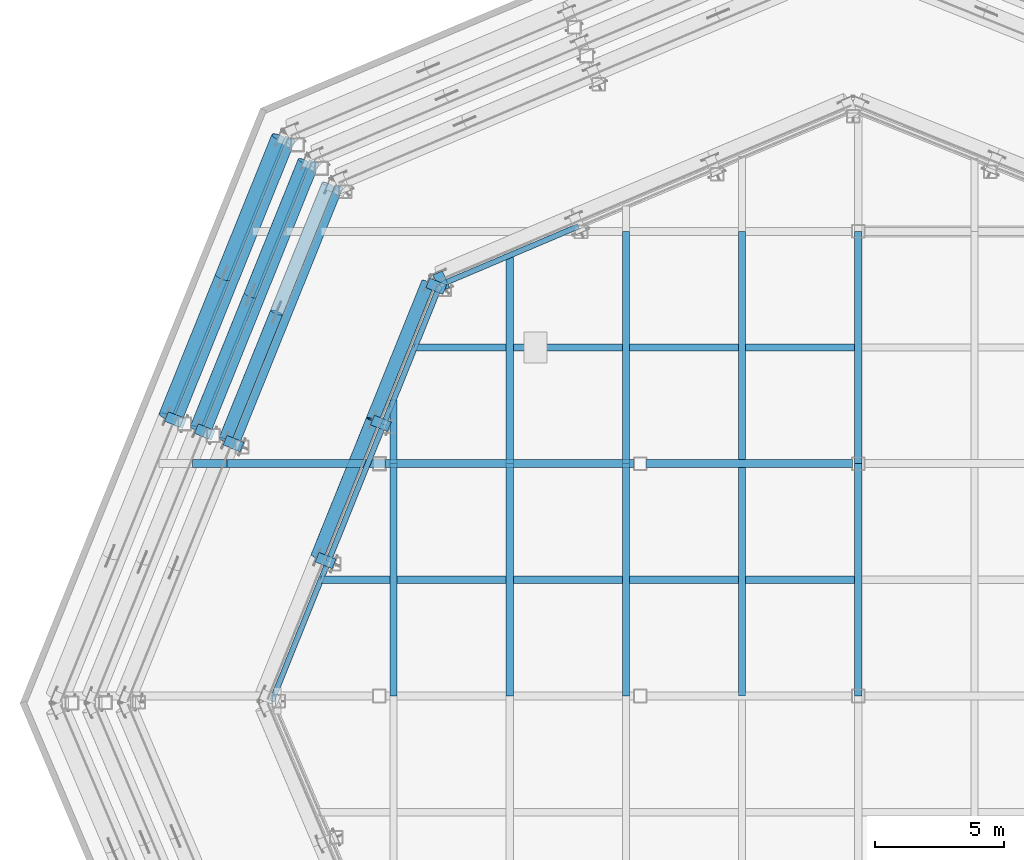
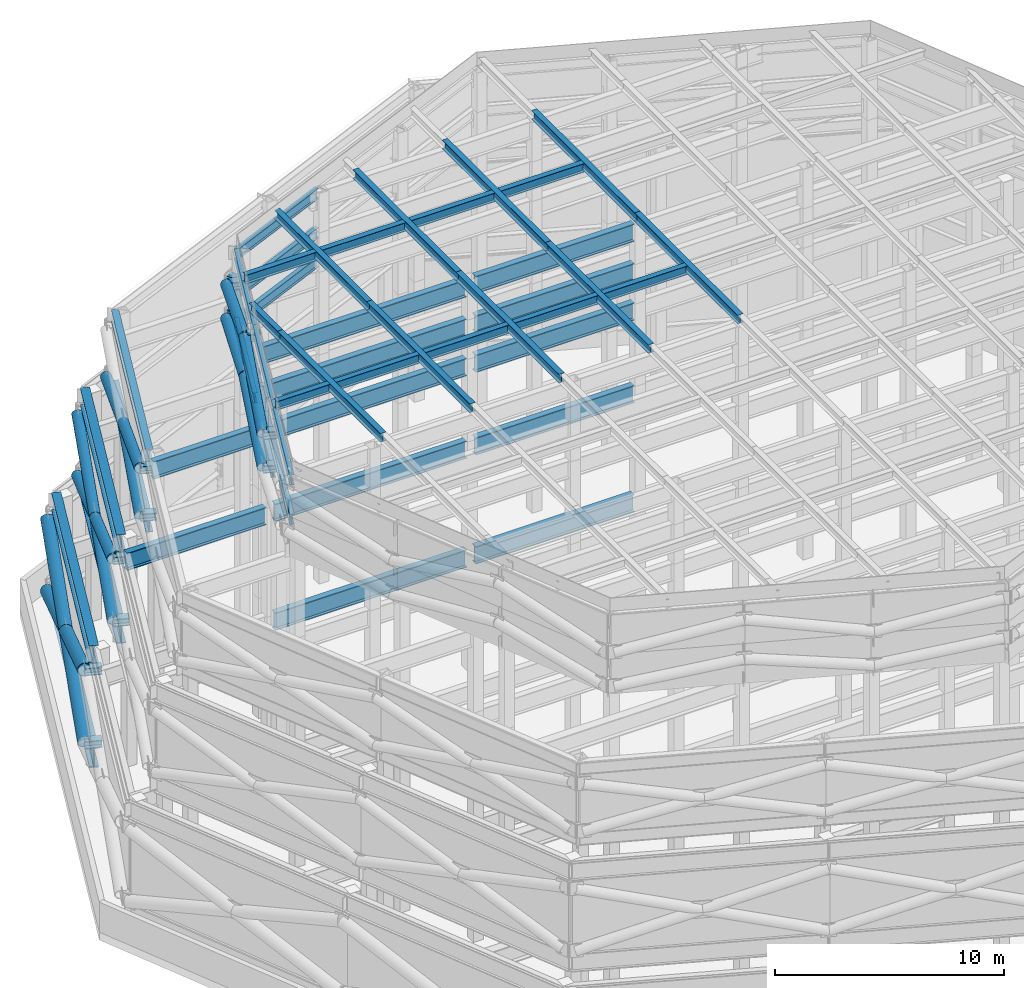
# One storey, part 9 of 19: 48 beams, 26 members.
"""IFC4 building model written with IfcOpenShell, lengths in metres."""

from ifc_helpers import new_model, si_unit, direction, frame, origin, origin_2d, place, context, subcontext, project, spatial, hollow_circle, i_section, extrude, material, material_profile, profile_set, type_object, element, save


model = new_model("IFC4")

# Units and contexts
model_context = context("Model", 3, precision=1e-05, world=origin(), true_north=direction((0.0, 1.0)))
body_context = subcontext(model_context, "Body", "Model", "MODEL_VIEW")
ifc_project = project(units=[si_unit("LENGTHUNIT", "METRE"), si_unit("AREAUNIT", "SQUARE_METRE"), si_unit("VOLUMEUNIT", "CUBIC_METRE"), si_unit("PLANEANGLEUNIT", "RADIAN"), si_unit("MASSUNIT", "GRAM", prefix="KILO")], contexts=[model_context])

# Site, building, storey
site_placement = place(None, origin())
site = spatial("IfcSite", under=ifc_project, at=site_placement, CompositionType="ELEMENT")
building_placement = place(site_placement, origin())
building = spatial("IfcBuilding", under=site, at=building_placement, Name="Orlundy Tower", CompositionType="ELEMENT")
storey_placement = place(building_placement, frame((0.0, 0.0, 304.300048828125)))
storey = spatial("IfcBuildingStorey", under=building, at=storey_placement, Name="Roof", CompositionType="ELEMENT", Elevation=304.300048828125)

# Beams
ifc_material_1 = material(Name="Steel ASTM A992 Gr 50", Category="steel")
ifc_material_profile_1 = material_profile(ifc_material_1, i_section(OverallWidth=0.2802734375, OverallDepth=0.46240234375, WebThickness=0.0107421875, FlangeThickness=0.017333984375, at=origin_2d()), Name="W18X76")
ifc_profile_set_1 = profile_set([ifc_material_profile_1], Name="Steel ASTM A992 Gr 50")
beam_type_1 = type_object("IfcBeamType", Name="CROWN FRAME beam W18X76", PredefinedType="BEAM", material=ifc_profile_set_1)
beam_1_placement = place(storey_placement, frame((-18.0, 0.0, 21.131103515625), z_axis=(0.0, 1.0, 0.0), x_axis=(-1.0, 0.0, 0.0)))
element("IfcBeam", 1, at=beam_1_placement, inside=storey, type_object=beam_type_1, Name="CROWN FRAME secondary beam 02C", PredefinedType="BEAM", context=body_context, shape_type="SweptSolid", body=[
    extrude(i_section(OverallWidth=0.2802734375, OverallDepth=0.46240234375, WebThickness=0.0107421875, FlangeThickness=0.017333984375, at=origin_2d()), origin(), (0.0, 0.0, 1.0), 9.0),
])
beam_2_placement = place(storey_placement, frame((-18.0, 9.0, 21.131103515625), z_axis=(0.0, 1.0, 0.0), x_axis=(-1.0, 0.0, 0.0)))
element("IfcBeam", 2, at=beam_2_placement, inside=storey, type_object=beam_type_1, Name="CROWN FRAME secondary beam 02D", PredefinedType="BEAM", context=body_context, shape_type="SweptSolid", body=[
    extrude(i_section(OverallWidth=0.2802734375, OverallDepth=0.46240234375, WebThickness=0.0107421875, FlangeThickness=0.017333984375, at=origin_2d()), origin(), (0.0, 0.0, 1.0), 2.472412109375),
])
beam_3_placement = place(storey_placement, frame((-13.5, 0.0, 21.131103515625), z_axis=(0.0, 1.0, 0.0), x_axis=(-1.0, 0.0, 0.0)))
element("IfcBeam", 3, at=beam_3_placement, inside=storey, type_object=beam_type_1, Name="CROWN FRAME secondary beam 03C", PredefinedType="BEAM", context=body_context, shape_type="SweptSolid", body=[
    extrude(i_section(OverallWidth=0.2802734375, OverallDepth=0.46240234375, WebThickness=0.0107421875, FlangeThickness=0.017333984375, at=origin_2d()), origin(), (0.0, 0.0, 1.0), 9.0),
])
beam_4_placement = place(storey_placement, frame((-13.5, 9.0, 21.131103515625), z_axis=(0.0, 1.0, 0.0), x_axis=(-1.0, 0.0, 0.0)))
element("IfcBeam", 4, at=beam_4_placement, inside=storey, type_object=beam_type_1, Name="CROWN FRAME secondary beam 03D", PredefinedType="BEAM", context=body_context, shape_type="SweptSolid", body=[
    extrude(i_section(OverallWidth=0.2802734375, OverallDepth=0.46240234375, WebThickness=0.0107421875, FlangeThickness=0.017333984375, at=origin_2d()), origin(), (0.0, 0.0, 1.0), 8.06884765625),
])
for number, where, z_axis, x_axis, name in (
    (5, (-9.0, 0.0, 21.131103515625), (0.0, 1.0, 0.0), (-1.0, 0.0, 0.0), "CROWN FRAME secondary beam 04D"),
    (6, (-9.0, 9.0, 21.131103515625), (0.0, 1.0, 0.0), (-1.0, 0.0, 0.0), "CROWN FRAME secondary beam 04E"),
    (7, (-4.5, 0.0, 21.131103515625), (0.0, 1.0, 0.0), (-1.0, 0.0, 0.0), "CROWN FRAME secondary beam 05D"),
    (8, (-4.5, 9.0, 21.131103515625), (0.0, 1.0, 0.0), (-1.0, 0.0, 0.0), "CROWN FRAME secondary beam 05E"),
    (9, (0.0, 0.0, 21.131103515625), (0.0, 1.0, 0.0), (-1.0, 0.0, 0.0), "CROWN FRAME secondary beam 06D"),
    (10, (0.0, 9.0, 21.131103515625), (0.0, 1.0, 0.0), (-1.0, 0.0, 0.0), "CROWN FRAME secondary beam 06E"),
):
    element("IfcBeam", number, at=place(storey_placement, frame(where, z_axis=z_axis, x_axis=x_axis)), inside=storey, type_object=beam_type_1, Name=name, PredefinedType="BEAM", context=body_context, shape_type="SweptSolid", body=[
        extrude(i_section(OverallWidth=0.2802734375, OverallDepth=0.46240234375, WebThickness=0.0107421875, FlangeThickness=0.017333984375, at=origin_2d()), origin(), (0.0, 0.0, 1.0), 9.0),
    ])
beam_5_placement = place(storey_placement, frame((-20.81689453125, 4.5, 21.131103515625), z_axis=(1.0, 0.0, 0.0), x_axis=(0.0, 1.0, 0.0)))
element("IfcBeam", 11, at=beam_5_placement, inside=storey, type_object=beam_type_1, Name="CROWN FRAME cap cross beam 3A", PredefinedType="BEAM", context=body_context, shape_type="SweptSolid", body=[
    extrude(i_section(OverallWidth=0.2802734375, OverallDepth=0.46240234375, WebThickness=0.0107421875, FlangeThickness=0.017333984375, at=origin_2d()), origin(), (0.0, 0.0, 1.0), 2.6767578125),
])
for number, where, z_axis, x_axis, name in (
    (12, (-17.85986328125, 4.5, 21.131103515625), (1.0, 0.0, 0.0), (0.0, 1.0, 0.0), "CROWN FRAME cap cross beam 3B"),
    (13, (-13.35986328125, 4.5, 21.131103515625), (1.0, 0.0, 0.0), (0.0, 1.0, 0.0), "CROWN FRAME cap cross beam 3C"),
    (14, (-8.85986328125, 4.5, 21.131103515625), (1.0, 0.0, 0.0), (0.0, 1.0, 0.0), "CROWN FRAME cap cross beam 3D"),
    (15, (-4.35986328125, 4.5, 21.131103515625), (1.0, 0.0, 0.0), (0.0, 1.0, 0.0), "CROWN FRAME cap cross beam 3E"),
):
    element("IfcBeam", number, at=place(storey_placement, frame(where, z_axis=z_axis, x_axis=x_axis)), inside=storey, type_object=beam_type_1, Name=name, PredefinedType="BEAM", context=body_context, shape_type="SweptSolid", body=[
        extrude(i_section(OverallWidth=0.2802734375, OverallDepth=0.46240234375, WebThickness=0.0107421875, FlangeThickness=0.017333984375, at=origin_2d()), origin(), (0.0, 0.0, 1.0), 4.2197265625),
    ])
beam_6_placement = place(storey_placement, frame((-17.180908203125, 13.5, 21.131103515625), z_axis=(1.0, 0.0, 0.0), x_axis=(0.0, 1.0, 0.0)))
element("IfcBeam", 16, at=beam_6_placement, inside=storey, type_object=beam_type_1, Name="CROWN FRAME cap cross beam 4A", PredefinedType="BEAM", context=body_context, shape_type="SweptSolid", body=[
    extrude(i_section(OverallWidth=0.2802734375, OverallDepth=0.46240234375, WebThickness=0.0107421875, FlangeThickness=0.017333984375, at=origin_2d()), origin(), (0.0, 0.0, 1.0), 3.540771484375),
])
for number, where, z_axis, x_axis, name in (
    (17, (-13.35986328125, 13.5, 21.131103515625), (1.0, 0.0, 0.0), (0.0, 1.0, 0.0), "CROWN FRAME cap cross beam 4B"),
    (18, (-8.85986328125, 13.5, 21.131103515625), (1.0, 0.0, 0.0), (0.0, 1.0, 0.0), "CROWN FRAME cap cross beam 4C"),
    (19, (-4.35986328125, 13.5, 21.131103515625), (1.0, 0.0, 0.0), (0.0, 1.0, 0.0), "CROWN FRAME cap cross beam 4D"),
):
    element("IfcBeam", number, at=place(storey_placement, frame(where, z_axis=z_axis, x_axis=x_axis)), inside=storey, type_object=beam_type_1, Name=name, PredefinedType="BEAM", context=body_context, shape_type="SweptSolid", body=[
        extrude(i_section(OverallWidth=0.2802734375, OverallDepth=0.46240234375, WebThickness=0.0107421875, FlangeThickness=0.017333984375, at=origin_2d()), origin(), (0.0, 0.0, 1.0), 4.2197265625),
    ])
ifc_material_2 = material(Name="Steel ASTM A992 Gr 50", Category="steel")
ifc_material_profile_2 = material_profile(ifc_material_2, i_section(OverallWidth=0.2138671875, OverallDepth=0.549072265625, WebThickness=0.0146484375, FlangeThickness=0.023681640625, at=origin_2d()), Name="W21X93")
ifc_profile_set_2 = profile_set([ifc_material_profile_2], Name="Steel ASTM A992 Gr 50")
beam_type_2 = type_object("IfcBeamType", Name="CROWN FRAME beam W21X93", PredefinedType="BEAM", material=ifc_profile_set_2)
for number, where, z_axis, x_axis, name in (
    (20, (-10.837158203125, 18.19921875, 16.974365234375), (-0.920508748756, -0.390721951602, 0.0), (0.390721951602, -0.920508748756, 0.0), "CROWN FRAME foot ring beam 4-06"),
    (21, (-16.202392578125, 15.921875, 16.974365234375), (-0.374587705748, -0.927191485456, 0.0), (0.927191485456, -0.374587705748, 0.0), "CROWN FRAME foot ring beam 4-07"),
):
    element("IfcBeam", number, at=place(storey_placement, frame(where, z_axis=z_axis, x_axis=x_axis)), inside=storey, type_object=beam_type_2, Name=name, PredefinedType="BEAM", context=body_context, shape_type="SweptSolid", body=[
        extrude(i_section(OverallWidth=0.2138671875, OverallDepth=0.549072265625, WebThickness=0.0146484375, FlangeThickness=0.023681640625, at=origin_2d()), origin(), (0.0, 0.0, 1.0), 5.82861328125),
    ])
beam_7_placement = place(storey_placement, frame((-18.3857421875, 10.517578125, 16.974365234375), z_axis=(-0.374591990651, -0.927189754333, 0.0), x_axis=(0.927189754333, -0.374591990651, 0.0)))
element("IfcBeam", 22, at=beam_7_placement, inside=storey, type_object=beam_type_2, Name="CROWN FRAME foot ring beam 4-08", PredefinedType="BEAM", context=body_context, shape_type="SweptSolid", body=[
    extrude(i_section(OverallWidth=0.2138671875, OverallDepth=0.549072265625, WebThickness=0.0146484375, FlangeThickness=0.023681640625, at=origin_2d()), origin(), (0.0, 0.0, 1.0), 5.72900390625),
])
for number, where, z_axis, x_axis, name in (
    (23, (-10.837158203125, 18.19921875, 18.525390625), (-0.920508748756, -0.390721951602, 0.0), (0.390721951602, -0.920508748756, 0.0), "CROWN FRAME head ring beam 4-06"),
    (24, (-16.202392578125, 15.921875, 18.525390625), (-0.374587705748, -0.927191485456, 0.0), (0.927191485456, -0.374587705748, 0.0), "CROWN FRAME head ring beam 4-07"),
):
    element("IfcBeam", number, at=place(storey_placement, frame(where, z_axis=z_axis, x_axis=x_axis)), inside=storey, type_object=beam_type_2, Name=name, PredefinedType="BEAM", context=body_context, shape_type="SweptSolid", body=[
        extrude(i_section(OverallWidth=0.2138671875, OverallDepth=0.549072265625, WebThickness=0.0146484375, FlangeThickness=0.023681640625, at=origin_2d()), origin(), (0.0, 0.0, 1.0), 5.82861328125),
    ])
beam_8_placement = place(storey_placement, frame((-18.3857421875, 10.517578125, 18.525390625), z_axis=(-0.374591990651, -0.927189754333, 0.0), x_axis=(0.927189754333, -0.374591990651, 0.0)))
element("IfcBeam", 25, at=beam_8_placement, inside=storey, type_object=beam_type_2, Name="CROWN FRAME head ring beam 4-08", PredefinedType="BEAM", context=body_context, shape_type="SweptSolid", body=[
    extrude(i_section(OverallWidth=0.2138671875, OverallDepth=0.549072265625, WebThickness=0.0146484375, FlangeThickness=0.023681640625, at=origin_2d()), origin(), (0.0, 0.0, 1.0), 5.72900390625),
])
for number, where, z_axis, x_axis, name in (
    (26, (-20.53173828125, 5.205810546875, 18.525390625), (-0.374587705748, -0.927191485456, 0.0), (0.927191485456, -0.374587705748, 0.0), "CROWN FRAME head ring beam 4-09"),
    (27, (-10.837158203125, 18.19921875, 20.62548828125), (-0.920508748756, -0.390721951602, 0.0), (0.390721951602, -0.920508748756, 0.0), "CROWN FRAME head ring beam 5-06"),
    (28, (-16.202392578125, 15.921875, 20.62548828125), (-0.374587705748, -0.927191485456, 0.0), (0.927191485456, -0.374587705748, 0.0), "CROWN FRAME head ring beam 5-07"),
):
    element("IfcBeam", number, at=place(storey_placement, frame(where, z_axis=z_axis, x_axis=x_axis)), inside=storey, type_object=beam_type_2, Name=name, PredefinedType="BEAM", context=body_context, shape_type="SweptSolid", body=[
        extrude(i_section(OverallWidth=0.2138671875, OverallDepth=0.549072265625, WebThickness=0.0146484375, FlangeThickness=0.023681640625, at=origin_2d()), origin(), (0.0, 0.0, 1.0), 5.82861328125),
    ])
beam_9_placement = place(storey_placement, frame((-18.3857421875, 10.517578125, 20.62548828125), z_axis=(-0.374591990651, -0.927189754333, 0.0), x_axis=(0.927189754333, -0.374591990651, 0.0)))
element("IfcBeam", 29, at=beam_9_placement, inside=storey, type_object=beam_type_2, Name="CROWN FRAME head ring beam 5-08", PredefinedType="BEAM", context=body_context, shape_type="SweptSolid", body=[
    extrude(i_section(OverallWidth=0.2138671875, OverallDepth=0.549072265625, WebThickness=0.0146484375, FlangeThickness=0.023681640625, at=origin_2d()), origin(), (0.0, 0.0, 1.0), 5.72900390625),
])
beam_10_placement = place(storey_placement, frame((-20.53173828125, 5.205810546875, 20.62548828125), z_axis=(-0.374587705748, -0.927191485456, 0.0), x_axis=(0.927191485456, -0.374587705748, 0.0)))
element("IfcBeam", 30, at=beam_10_placement, inside=storey, type_object=beam_type_2, Name="CROWN FRAME head ring beam 5-09", PredefinedType="BEAM", context=body_context, shape_type="SweptSolid", body=[
    extrude(i_section(OverallWidth=0.2138671875, OverallDepth=0.549072265625, WebThickness=0.0146484375, FlangeThickness=0.023681640625, at=origin_2d()), origin(), (0.0, 0.0, 1.0), 5.82861328125),
])
ifc_material_3 = material(Name="Steel ASTM A992 Gr 50", Category="steel")
ifc_material_profile_3 = material_profile(ifc_material_3, i_section(OverallWidth=0.3291015625, OverallDepth=0.635009765625, WebThickness=0.017822265625, FlangeThickness=0.031005859375, at=origin_2d()), Name="W24X162")
ifc_profile_set_3 = profile_set([ifc_material_profile_3], Name="Steel ASTM A992 Gr 50")
beam_type_3 = type_object("IfcBeamType", Name="CROWN FRAME beam W24X162", PredefinedType="BEAM", material=ifc_profile_set_3)
for number, where, z_axis, x_axis, name in (
    (31, (-20.10693359375, 19.7587890625, 12.617431640625), (-0.374607479154, -0.927183496705, 0.0), (0.927183496705, -0.374607479154, 0.0), "CROWN FRAME foot ring beam 3-05"),
    (32, (-20.10693359375, 19.7587890625, 16.382568359375), (-0.374607479154, -0.927183496705, 0.0), (0.927183496705, -0.374607479154, 0.0), "CROWN FRAME head ring beam 3-05"),
):
    element("IfcBeam", number, at=place(storey_placement, frame(where, z_axis=z_axis, x_axis=x_axis)), inside=storey, type_object=beam_type_3, Name=name, PredefinedType="BEAM", context=body_context, shape_type="SweptSolid", body=[
        extrude(i_section(OverallWidth=0.3291015625, OverallDepth=0.635009765625, WebThickness=0.017822265625, FlangeThickness=0.031005859375, at=origin_2d()), origin(), (0.0, 0.0, 1.0), 10.7880859375),
    ])
ifc_material_4 = material(Name="Steel ASTM A992 Gr 50", Category="steel")
ifc_material_profile_4 = material_profile(ifc_material_4, i_section(OverallWidth=0.3076171875, OverallDepth=0.9267578125, WebThickness=0.01953125, FlangeThickness=0.031982421875, at=origin_2d()), Name="W36X194")
ifc_profile_set_4 = profile_set([ifc_material_profile_4], Name="Steel ASTM A992 Gr 50")
beam_type_4 = type_object("IfcBeamType", Name="CROWN FRAME beam W36X194", PredefinedType="BEAM", material=ifc_profile_set_4)
beam_11_placement = place(storey_placement, frame((-18.3212890625, 9.0, 6.03662109375), z_axis=(1.0, 0.0, 0.0), x_axis=(0.0, 1.0, 0.0)))
element("IfcBeam", 33, at=beam_11_placement, inside=storey, type_object=beam_type_4, Name="CROWN FRAME primary beam 4B frame 1", PredefinedType="BEAM", context=body_context, shape_type="SweptSolid", body=[
    extrude(i_section(OverallWidth=0.3076171875, OverallDepth=0.9267578125, WebThickness=0.01953125, FlangeThickness=0.031982421875, at=origin_2d()), origin(), (0.0, 0.0, 1.0), 9.642578125),
])
beam_12_placement = place(storey_placement, frame((-8.221435546875, 9.0, 6.03662109375), z_axis=(1.0, 0.0, 0.0), x_axis=(0.0, 1.0, 0.0)))
element("IfcBeam", 34, at=beam_12_placement, inside=storey, type_object=beam_type_4, Name="CROWN FRAME primary beam 4C frame 1", PredefinedType="BEAM", context=body_context, shape_type="SweptSolid", body=[
    extrude(i_section(OverallWidth=0.3076171875, OverallDepth=0.9267578125, WebThickness=0.01953125, FlangeThickness=0.031982421875, at=origin_2d()), origin(), (0.0, 0.0, 1.0), 7.992919921875),
])
beam_13_placement = place(storey_placement, frame((-25.798583984375, 9.0, 11.836669921875), z_axis=(1.0, 0.0, 0.0), x_axis=(0.0, 1.0, 0.0)))
element("IfcBeam", 35, at=beam_13_placement, inside=storey, type_object=beam_type_4, Name="CROWN FRAME primary beam 4A frame 2", PredefinedType="BEAM", context=body_context, shape_type="SweptSolid", body=[
    extrude(i_section(OverallWidth=0.3076171875, OverallDepth=0.9267578125, WebThickness=0.01953125, FlangeThickness=0.031982421875, at=origin_2d()), origin(), (0.0, 0.0, 1.0), 7.02001953125),
])
beam_14_placement = place(storey_placement, frame((-18.3212890625, 9.0, 11.836669921875), z_axis=(1.0, 0.0, 0.0), x_axis=(0.0, 1.0, 0.0)))
element("IfcBeam", 36, at=beam_14_placement, inside=storey, type_object=beam_type_4, Name="CROWN FRAME primary beam 4B frame 2", PredefinedType="BEAM", context=body_context, shape_type="SweptSolid", body=[
    extrude(i_section(OverallWidth=0.3076171875, OverallDepth=0.9267578125, WebThickness=0.01953125, FlangeThickness=0.031982421875, at=origin_2d()), origin(), (0.0, 0.0, 1.0), 9.642578125),
])
beam_15_placement = place(storey_placement, frame((-8.221435546875, 9.0, 11.836669921875), z_axis=(1.0, 0.0, 0.0), x_axis=(0.0, 1.0, 0.0)))
element("IfcBeam", 37, at=beam_15_placement, inside=storey, type_object=beam_type_4, Name="CROWN FRAME primary beam 4C frame 2", PredefinedType="BEAM", context=body_context, shape_type="SweptSolid", body=[
    extrude(i_section(OverallWidth=0.3076171875, OverallDepth=0.9267578125, WebThickness=0.01953125, FlangeThickness=0.031982421875, at=origin_2d()), origin(), (0.0, 0.0, 1.0), 7.992919921875),
])
beam_16_placement = place(storey_placement, frame((-24.45361328125, 9.0, 16.236572265625), z_axis=(1.0, 0.0, 0.0), x_axis=(0.0, 1.0, 0.0)))
element("IfcBeam", 38, at=beam_16_placement, inside=storey, type_object=beam_type_4, Name="CROWN FRAME primary beam 4A frame 3", PredefinedType="BEAM", context=body_context, shape_type="SweptSolid", body=[
    extrude(i_section(OverallWidth=0.3076171875, OverallDepth=0.9267578125, WebThickness=0.01953125, FlangeThickness=0.031982421875, at=origin_2d()), origin(), (0.0, 0.0, 1.0), 5.675048828125),
])
beam_17_placement = place(storey_placement, frame((-18.3212890625, 9.0, 16.236572265625), z_axis=(1.0, 0.0, 0.0), x_axis=(0.0, 1.0, 0.0)))
element("IfcBeam", 39, at=beam_17_placement, inside=storey, type_object=beam_type_4, Name="CROWN FRAME primary beam 4B frame 3", PredefinedType="BEAM", context=body_context, shape_type="SweptSolid", body=[
    extrude(i_section(OverallWidth=0.3076171875, OverallDepth=0.9267578125, WebThickness=0.01953125, FlangeThickness=0.031982421875, at=origin_2d()), origin(), (0.0, 0.0, 1.0), 9.642578125),
])
beam_18_placement = place(storey_placement, frame((-8.221435546875, 9.0, 16.236572265625), z_axis=(1.0, 0.0, 0.0), x_axis=(0.0, 1.0, 0.0)))
element("IfcBeam", 40, at=beam_18_placement, inside=storey, type_object=beam_type_4, Name="CROWN FRAME primary beam 4C frame 3", PredefinedType="BEAM", context=body_context, shape_type="SweptSolid", body=[
    extrude(i_section(OverallWidth=0.3076171875, OverallDepth=0.9267578125, WebThickness=0.01953125, FlangeThickness=0.031982421875, at=origin_2d()), origin(), (0.0, 0.0, 1.0), 7.992919921875),
])
beam_19_placement = place(storey_placement, frame((-18.998779296875, 9.0, 18.336669921875), z_axis=(1.0, 0.0, 0.0), x_axis=(0.0, 1.0, 0.0)))
element("IfcBeam", 41, at=beam_19_placement, inside=storey, type_object=beam_type_4, Name="CROWN FRAME primary beam 4A frame 4", PredefinedType="BEAM", context=body_context, shape_type="SweptSolid", body=[
    extrude(i_section(OverallWidth=0.3076171875, OverallDepth=0.9267578125, WebThickness=0.01953125, FlangeThickness=0.031982421875, at=origin_2d()), origin(), (0.0, 0.0, 1.0), 10.320068359375),
])
beam_20_placement = place(storey_placement, frame((-8.221435546875, 9.0, 18.336669921875), z_axis=(1.0, 0.0, 0.0), x_axis=(0.0, 1.0, 0.0)))
element("IfcBeam", 42, at=beam_20_placement, inside=storey, type_object=beam_type_4, Name="CROWN FRAME primary beam 4B frame 4", PredefinedType="BEAM", context=body_context, shape_type="SweptSolid", body=[
    extrude(i_section(OverallWidth=0.3076171875, OverallDepth=0.9267578125, WebThickness=0.01953125, FlangeThickness=0.031982421875, at=origin_2d()), origin(), (0.0, 0.0, 1.0), 7.992919921875),
])
beam_21_placement = place(storey_placement, frame((-18.998779296875, 9.0, 20.4365234375), z_axis=(1.0, 0.0, 0.0), x_axis=(0.0, 1.0, 0.0)))
element("IfcBeam", 43, at=beam_21_placement, inside=storey, type_object=beam_type_4, Name="CROWN FRAME primary beam 4A frame 5", PredefinedType="BEAM", context=body_context, shape_type="SweptSolid", body=[
    extrude(i_section(OverallWidth=0.3076171875, OverallDepth=0.9267578125, WebThickness=0.01953125, FlangeThickness=0.031982421875, at=origin_2d()), origin(), (0.0, 0.0, 1.0), 10.320068359375),
])
beam_22_placement = place(storey_placement, frame((-8.221435546875, 9.0, 20.4365234375), z_axis=(1.0, 0.0, 0.0), x_axis=(0.0, 1.0, 0.0)))
element("IfcBeam", 44, at=beam_22_placement, inside=storey, type_object=beam_type_4, Name="CROWN FRAME primary beam 4B frame 5", PredefinedType="BEAM", context=body_context, shape_type="SweptSolid", body=[
    extrude(i_section(OverallWidth=0.3076171875, OverallDepth=0.9267578125, WebThickness=0.01953125, FlangeThickness=0.031982421875, at=origin_2d()), origin(), (0.0, 0.0, 1.0), 7.992919921875),
])
ifc_material_5 = material(Name="Steel ASTM A992 Gr 50", Category="steel")
ifc_material_profile_5 = material_profile(ifc_material_5, i_section(OverallWidth=0.423095703125, OverallDepth=0.947265625, WebThickness=0.02392578125, FlangeThickness=0.042724609375, at=origin_2d()), Name="W36X302")
ifc_profile_set_5 = profile_set([ifc_material_profile_5], Name="Steel ASTM A992 Gr 50")
beam_type_5 = type_object("IfcBeamType", Name="CROWN FRAME beam W36X302", PredefinedType="BEAM", material=ifc_profile_set_5)
beam_23_placement = place(storey_placement, frame((-21.99609375, 21.615234375, 6.0263671875), z_axis=(-0.374605679026, -0.927184224004, 0.0), x_axis=(0.927184224004, -0.374605679026, 0.0)))
element("IfcBeam", 45, at=beam_23_placement, inside=storey, type_object=beam_type_5, Name="CROWN FRAME head ring beam 1-05", PredefinedType="BEAM", context=body_context, shape_type="SweptSolid", body=[
    extrude(i_section(OverallWidth=0.423095703125, OverallDepth=0.947265625, WebThickness=0.02392578125, FlangeThickness=0.042724609375, at=origin_2d()), origin(), (0.0, 0.0, 1.0), 11.801513671875),
])
for number, where, z_axis, x_axis, name in (
    (46, (-21.069580078125, 20.704833984375, 6.9736328125), (-0.374594452553, -0.927188759701, 0.0), (0.927188759701, -0.374594452553, 0.0), "CROWN FRAME foot ring beam 2-05"),
    (47, (-21.069580078125, 20.704833984375, 11.826416015625), (-0.374594452553, -0.927188759701, 0.0), (0.927188759701, -0.374594452553, 0.0), "CROWN FRAME head ring beam 2-05"),
):
    element("IfcBeam", number, at=place(storey_placement, frame(where, z_axis=z_axis, x_axis=x_axis)), inside=storey, type_object=beam_type_5, Name=name, PredefinedType="BEAM", context=body_context, shape_type="SweptSolid", body=[
        extrude(i_section(OverallWidth=0.423095703125, OverallDepth=0.947265625, WebThickness=0.02392578125, FlangeThickness=0.042724609375, at=origin_2d()), origin(), (0.0, 0.0, 1.0), 11.304443359375),
    ])
ifc_material_6 = material(Name="Steel ASTM A992 Gr 50", Category="steel")
ifc_material_profile_6 = material_profile(ifc_material_6, i_section(OverallWidth=0.41650390625, OverallDepth=1.068115234375, WebThickness=0.0390625, FlangeThickness=0.070068359375, at=origin_2d()), Name="W40X503")
ifc_profile_set_6 = profile_set([ifc_material_profile_6], Name="Steel ASTM A992 Gr 50")
beam_type_6 = type_object("IfcBeamType", Name="CROWN FRAME beam W40X503", PredefinedType="BEAM", material=ifc_profile_set_6)
beam_24_placement = place(storey_placement, frame((-21.99365234375, 21.61279296875, 0.533935546875), z_axis=(-0.374606036981, -0.927184079381, 0.0), x_axis=(0.927184079381, -0.374606036981, 0.0)))
element("IfcBeam", 48, at=beam_24_placement, inside=storey, type_object=beam_type_6, Name="CROWN FRAME foot ring beam 1-05", PredefinedType="BEAM", context=body_context, shape_type="SweptSolid", body=[
    extrude(i_section(OverallWidth=0.41650390625, OverallDepth=1.068115234375, WebThickness=0.0390625, FlangeThickness=0.070068359375, at=origin_2d()), origin(), (0.0, 0.0, 1.0), 11.800048828125),
])

# Members
ifc_material_7 = material(Name="Steel ASTM A500 Gr C", Category="steel")
ifc_material_profile_7 = material_profile(ifc_material_7, hollow_circle(Radius=0.25390625, WallThickness=0.01171875, at=origin_2d()), Name="HSS20.000X0.500")
ifc_profile_set_7 = profile_set([ifc_material_profile_7], Name="Steel ASTM A500 Gr C")
member_type_1 = type_object("IfcMemberType", Name="CROWN FRAME diagonal HSS20.000X0.500", PredefinedType="BRACE", material=ifc_profile_set_7)
member_1_placement = place(storey_placement, frame((-21.459228515625, 20.7080078125, 7.7470703125), z_axis=(-0.359180206537, -0.889016102704, 0.283971738673), x_axis=(0.927185888231, -0.374601559882, 0.0)))
element("IfcMember", 49, at=member_1_placement, inside=storey, type_object=member_type_1, Name="CROWN FRAME brace 2-05a", PredefinedType="BRACE", context=body_context, shape_type="SweptSolid", body=[
    extrude(hollow_circle(Radius=0.25390625, WallThickness=0.01171875, at=origin_2d()), origin(), (0.0, 0.0, 1.0), 11.640869140625),
])
member_2_placement = place(storey_placement, frame((-25.640380859375, 10.359130859375, 7.7470703125), z_axis=(0.359173509674, 0.889020499537, 0.283966444061), x_axis=(-0.927188957532, 0.374593962885, 0.0)))
element("IfcMember", 50, at=member_2_placement, inside=storey, type_object=member_type_1, Name="CROWN FRAME brace 2-05ba", PredefinedType="BRACE", context=body_context, shape_type="SweptSolid", body=[
    extrude(hollow_circle(Radius=0.25390625, WallThickness=0.01171875, at=origin_2d()), origin(), (0.0, 0.0, 1.0), 5.820556640625),
])
member_3_placement = place(storey_placement, frame((-23.5498046875, 15.53369140625, 9.39990234375), z_axis=(0.359186903617, 0.889011705625, 0.283977033457), x_axis=(-0.927182818742, 0.374609157162, 0.0)))
element("IfcMember", 51, at=member_3_placement, inside=storey, type_object=member_type_1, Name="CROWN FRAME brace 2-05bb", PredefinedType="BRACE", context=body_context, shape_type="SweptSolid", body=[
    extrude(hollow_circle(Radius=0.25390625, WallThickness=0.01171875, at=origin_2d()), origin(), (0.0, 0.0, 1.0), 5.8203125),
])
member_4_placement = place(storey_placement, frame((-20.532958984375, 19.797607421875, 13.23486328125), z_axis=(-0.364480839965, -0.902147436253, 0.230832667882), x_axis=(0.927187561242, -0.374597418943, 0.0)))
element("IfcMember", 52, at=member_4_placement, inside=storey, type_object=member_type_1, Name="CROWN FRAME brace 3-05a", PredefinedType="BRACE", context=body_context, shape_type="SweptSolid", body=[
    extrude(hollow_circle(Radius=0.25390625, WallThickness=0.01171875, at=origin_2d()), origin(), (0.0, 0.0, 1.0), 10.96044921875),
])
member_5_placement = place(storey_placement, frame((-24.52783203125, 9.90966796875, 13.23486328125), z_axis=(0.364505605659, 0.902131326643, 0.23085652023), x_axis=(-0.927176397047, 0.374625050896, 0.0)))
element("IfcMember", 53, at=member_5_placement, inside=storey, type_object=member_type_1, Name="CROWN FRAME brace 3-05ba", PredefinedType="BRACE", context=body_context, shape_type="SweptSolid", body=[
    extrude(hollow_circle(Radius=0.25390625, WallThickness=0.01171875, at=origin_2d()), origin(), (0.0, 0.0, 1.0), 5.480224609375),
])
for number, where, z_axis, x_axis, name in (
    (54, (-16.6728515625, 16.00439453125, 17.299072265625), (-0.370034982456, -0.915910251797, 0.15550730662), (0.927189754333, -0.374591990651, 0.0), "CROWN FRAME brace 4-07a"),
    (55, (-20.96484375, 5.380859375, 17.299072265625), (0.370034982456, 0.915910251797, 0.15550730662), (-0.927189754333, 0.374591990651, 0.0), "CROWN FRAME brace 4-08b"),
):
    element("IfcMember", number, at=place(storey_placement, frame(where, z_axis=z_axis, x_axis=x_axis)), inside=storey, type_object=member_type_1, Name=name, PredefinedType="BRACE", context=body_context, shape_type="SweptSolid", body=[
        extrude(hollow_circle(Radius=0.25390625, WallThickness=0.01171875, at=origin_2d()), origin(), (0.0, 0.0, 1.0), 5.799560546875),
    ])
for number, where, z_axis, x_axis, name in (
    (56, (-16.6728515625, 16.00439453125, 19.099853515625), (-0.366623270569, -0.90746558564, 0.20516722047), (0.927189754333, -0.374591990651, 0.0), "CROWN FRAME brace 5-07a"),
    (57, (-20.96484375, 5.380859375, 19.099853515625), (0.366623270569, 0.90746558564, 0.20516722047), (-0.927189754333, 0.374591990651, 0.0), "CROWN FRAME brace 5-08b"),
):
    element("IfcMember", number, at=place(storey_placement, frame(where, z_axis=z_axis, x_axis=x_axis)), inside=storey, type_object=member_type_1, Name=name, PredefinedType="BRACE", context=body_context, shape_type="SweptSolid", body=[
        extrude(hollow_circle(Radius=0.25390625, WallThickness=0.01171875, at=origin_2d()), origin(), (0.0, 0.0, 1.0), 5.853515625),
    ])
ifc_material_8 = material(Name="Steel ASTM A1085 Gr A", Category="steel")
ifc_material_profile_8 = material_profile(ifc_material_8, hollow_circle(Radius=0.3046875, WallThickness=0.023681640625, at=origin_2d()), Name="HSS24.000X1.000")
ifc_profile_set_8 = profile_set([ifc_material_profile_8], Name="Steel ASTM A1085 Gr A")
member_type_2 = type_object("IfcMemberType", Name="CROWN FRAME diagonal HSS24.000X1.000", PredefinedType="BRACE", material=ifc_profile_set_8)
member_6_placement = place(storey_placement, frame((-22.432861328125, 21.63720703125, 1.3681640625), z_axis=(-0.355392717269, -0.879640684096, 0.316114351771), x_axis=(0.927185754047, -0.374601892002, 0.0)))
element("IfcMember", 58, at=member_6_placement, inside=storey, type_object=member_type_2, Name="CROWN FRAME brace 1-05a", PredefinedType="BRACE", context=body_context, shape_type="SweptSolid", body=[
    extrude(hollow_circle(Radius=0.3046875, WallThickness=0.023681640625, at=origin_2d()), origin(), (0.0, 0.0, 1.0), 12.288330078125),
])
member_7_placement = place(storey_placement, frame((-26.800048828125, 10.827880859375, 1.3681640625), z_axis=(0.355388738237, 0.879650702939, 0.316090945066), x_axis=(-0.927188692613, 0.374594618608, 0.0)))
element("IfcMember", 59, at=member_7_placement, inside=storey, type_object=member_type_2, Name="CROWN FRAME brace 1-05ba", PredefinedType="BRACE", context=body_context, shape_type="SweptSolid", body=[
    extrude(hollow_circle(Radius=0.3046875, WallThickness=0.023681640625, at=origin_2d()), origin(), (0.0, 0.0, 1.0), 6.144287109375),
])
member_8_placement = place(storey_placement, frame((-24.616455078125, 16.232666015625, 3.310302734375), z_axis=(0.355396696155, 0.879630664444, 0.316137758789), x_axis=(-0.92718281531, 0.374609165656, 0.0)))
element("IfcMember", 60, at=member_8_placement, inside=storey, type_object=member_type_2, Name="CROWN FRAME brace 1-05bb", PredefinedType="BRACE", context=body_context, shape_type="SweptSolid", body=[
    extrude(hollow_circle(Radius=0.3046875, WallThickness=0.023681640625, at=origin_2d()), origin(), (0.0, 0.0, 1.0), 6.14404296875),
])
ifc_material_9 = material(Name="Steel ASTM A992 Gr 50", Category="steel")
ifc_material_profile_9 = material_profile(ifc_material_9, i_section(OverallWidth=0.39892578125, OverallDepth=0.393310546875, WebThickness=0.022705078125, FlangeThickness=0.03662109375, at=origin_2d()), Name="W14X193")
ifc_profile_set_9 = profile_set([ifc_material_profile_9], Name="Steel ASTM A992 Gr 50")
member_type_3 = type_object("IfcMemberType", Name="CROWN FRAME strut W14X193", PredefinedType="STRUT", material=ifc_profile_set_9)
for number, where, z_axis, x_axis, name in (
    (61, (-26.0966796875, 10.54345703125, 5.252685546875), (-0.927071997252, 0.374883331065, 0.0), (-0.374883331065, -0.927071997252, 0.0), "CROWN FRAME brace connector 1-05A1"),
    (62, (-26.0966796875, 10.54345703125, 1.3681640625), (-0.927071997252, 0.374883331065, 0.0), (-0.374883331065, -0.927071997252, 0.0), "CROWN FRAME brace connector 1-05B0"),
):
    element("IfcMember", number, at=place(storey_placement, frame(where, z_axis=z_axis, x_axis=x_axis)), inside=storey, type_object=member_type_3, Name=name, PredefinedType="STRUT", context=body_context, shape_type="SweptSolid", body=[
        extrude(i_section(OverallWidth=0.39892578125, OverallDepth=0.393310546875, WebThickness=0.022705078125, FlangeThickness=0.03662109375, at=origin_2d()), origin(), (0.0, 0.0, 1.0), 0.7587890625),
    ])
for number, where, z_axis, x_axis, name in (
    (63, (-24.98388671875, 10.093994140625, 11.052734375), (-0.927234929482, 0.374480153744, 0.0), (-0.374480153744, -0.927234929482, 0.0), "CROWN FRAME brace connector 2-05A1"),
    (64, (-24.98388671875, 10.093994140625, 7.7470703125), (-0.927234929482, 0.374480153744, 0.0), (-0.374480153744, -0.927234929482, 0.0), "CROWN FRAME brace connector 2-05B0"),
    (65, (-23.871337890625, 9.64453125, 15.764892578125), (-0.927234929482, 0.374480153744, 0.0), (-0.374480153744, -0.927234929482, 0.0), "CROWN FRAME brace connector 3-05A1"),
    (66, (-23.871337890625, 9.64453125, 13.23486328125), (-0.927234929482, 0.374480153744, 0.0), (-0.374480153744, -0.927234929482, 0.0), "CROWN FRAME brace connector 3-05B0"),
    (67, (-16.016357421875, 15.739013671875, 17.299072265625), (-0.390629532578, 0.920547971742, 0.0), (-0.920547971742, -0.390629532578, 0.0), "CROWN FRAME brace connector 4-06B0"),
    (68, (-16.016357421875, 15.739013671875, 17.299072265625), (-0.927115163542, 0.374776564809, 0.0), (-0.374776564809, -0.927115163542, 0.0), "CROWN FRAME brace connector 4-07A0"),
    (69, (-18.162353515625, 10.42724609375, 18.200927734375), (-0.927115163542, 0.374776564809, 0.0), (-0.374776564809, -0.927115163542, 0.0), "CROWN FRAME brace connector 4-07A1"),
    (70, (-20.308349609375, 5.115478515625, 17.299072265625), (-0.927115163542, 0.374776564809, 0.0), (-0.374776564809, -0.927115163542, 0.0), "CROWN FRAME brace connector 4-08B0"),
    (71, (-16.016357421875, 15.739013671875, 19.099853515625), (-0.390629532578, 0.920547971742, 0.0), (-0.920547971742, -0.390629532578, 0.0), "CROWN FRAME brace connector 5-06B0"),
    (72, (-16.016357421875, 15.739013671875, 19.099853515625), (-0.927115163542, 0.374776564809, 0.0), (-0.374776564809, -0.927115163542, 0.0), "CROWN FRAME brace connector 5-07A0"),
    (73, (-18.162353515625, 10.42724609375, 20.30078125), (-0.927115163542, 0.374776564809, 0.0), (-0.374776564809, -0.927115163542, 0.0), "CROWN FRAME brace connector 5-07A1"),
    (74, (-20.308349609375, 5.115478515625, 19.099853515625), (-0.927115163542, 0.374776564809, 0.0), (-0.374776564809, -0.927115163542, 0.0), "CROWN FRAME brace connector 5-08B0"),
):
    element("IfcMember", number, at=place(storey_placement, frame(where, z_axis=z_axis, x_axis=x_axis)), inside=storey, type_object=member_type_3, Name=name, PredefinedType="STRUT", context=body_context, shape_type="SweptSolid", body=[
        extrude(i_section(OverallWidth=0.39892578125, OverallDepth=0.393310546875, WebThickness=0.022705078125, FlangeThickness=0.03662109375, at=origin_2d()), origin(), (0.0, 0.0, 1.0), 0.7080078125),
    ])

save(model, "model.ifc")
